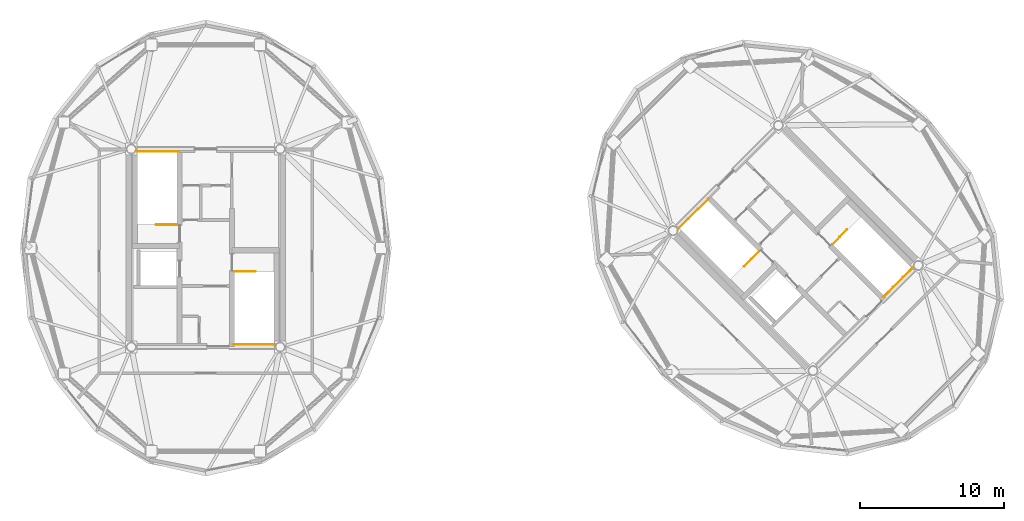
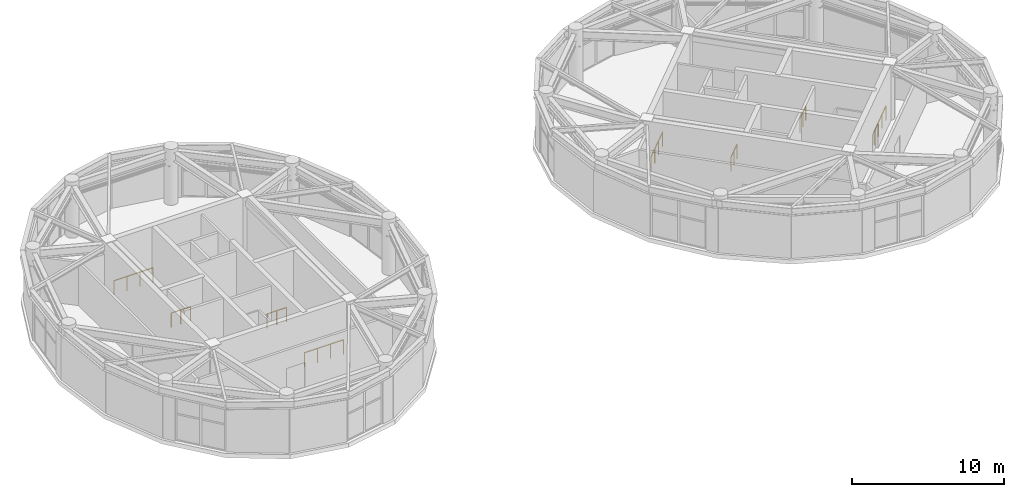
# One storey, part 26 of 26: 8 railings.
"""IFC4 building model written with IfcOpenShell, lengths in metres."""

from ifc_helpers import new_model, si_unit, direction, frame, origin, origin_2d, place, context, subcontext, project, spatial, circle, extrude, material, type_object, element, save


model = new_model("IFC4")

# Units and contexts
model_context = context("Model", 3, precision=1e-05, world=origin(), true_north=direction((0.0, 1.0)))
body_context = subcontext(model_context, "Body", "Model", "MODEL_VIEW")
ifc_project = project(units=[si_unit("LENGTHUNIT", "METRE"), si_unit("AREAUNIT", "SQUARE_METRE"), si_unit("VOLUMEUNIT", "CUBIC_METRE"), si_unit("PLANEANGLEUNIT", "RADIAN"), si_unit("MASSUNIT", "GRAM", prefix="KILO")], contexts=[model_context])

# Site, building, storey
site_placement = place(None, origin())
site = spatial("IfcSite", under=ifc_project, at=site_placement, CompositionType="ELEMENT")
building_placement = place(site_placement, origin())
building = spatial("IfcBuilding", under=site, at=building_placement, Name="Cununo Teusaquillo Station Towers", CompositionType="ELEMENT")
storey_placement = place(building_placement, frame((0.0, 0.0, 240.330078125)))
storey = spatial("IfcBuildingStorey", under=building, at=storey_placement, Name="L76", CompositionType="ELEMENT", Elevation=240.330078125)

# Railings
ifc_material = material(Name="Steel EN 10025-2 S355J2", Category="steel")
railing_type = type_object("IfcRailingType", Name="RL-INT-GUARD", PredefinedType="GUARDRAIL", material=ifc_material)
railing_1_placement = place(storey_placement, frame((14.52001953125, 26.1201171875, 0.0)))
element("IfcRailing", 1, at=railing_1_placement, inside=storey, type_object=railing_type, Name="L76 ST-T1-1 top well guard 1", PredefinedType="GUARDRAIL", context=body_context, shape_type="SweptSolid", body=[
    extrude(circle(Radius=0.02392578125, at=origin_2d()), frame((0.0, 0.0, 1.1259765625), z_axis=(-1.0, 0.0, 0.0), x_axis=(0.0, -1.0, 0.0)), (0.0, 0.0, 1.0), 1.4599609375),
    extrude(circle(Radius=0.02099609375, at=origin_2d()), origin(), (0.0, 0.0, 1.0), 1.101806640625),
    extrude(circle(Radius=0.02099609375, at=origin_2d()), frame((-0.72998046875, 0.0, 0.0)), (0.0, 0.0, 1.0), 1.101806640625),
    extrude(circle(Radius=0.02099609375, at=origin_2d()), frame((-1.4599609375, 0.0, 0.0)), (0.0, 0.0, 1.0), 1.101806640625),
])
railing_2_placement = place(storey_placement, frame((14.6201171875, 31.2099609375, 0.0)))
element("IfcRailing", 2, at=railing_2_placement, inside=storey, type_object=railing_type, Name="L76 ST-T1-1 top well guard 2", PredefinedType="GUARDRAIL", context=body_context, shape_type="SweptSolid", body=[
    extrude(circle(Radius=0.02392578125, at=origin_2d()), frame((0.0, 0.0, 1.1259765625), z_axis=(-1.0, 0.0, 0.0), x_axis=(0.0, -1.0, 0.0)), (0.0, 0.0, 1.0), 2.960205078125),
    extrude(circle(Radius=0.02099609375, at=origin_2d()), origin(), (0.0, 0.0, 1.0), 1.101806640625),
    extrude(circle(Radius=0.02099609375, at=origin_2d()), frame((-0.98681640625, 0.0, 0.0)), (0.0, 0.0, 1.0), 1.101806640625),
    extrude(circle(Radius=0.02099609375, at=origin_2d()), frame((-1.973388671875, 0.0, 0.0)), (0.0, 0.0, 1.0), 1.101806640625),
    extrude(circle(Radius=0.02099609375, at=origin_2d()), frame((-2.960205078125, 0.0, 0.0)), (0.0, 0.0, 1.0), 1.101806640625),
])
railing_3_placement = place(storey_placement, frame((18.47998046875, 22.8798828125, 0.0)))
element("IfcRailing", 3, at=railing_3_placement, inside=storey, type_object=railing_type, Name="L76 ST-T1-2 top well guard 1", PredefinedType="GUARDRAIL", context=body_context, shape_type="SweptSolid", body=[
    extrude(circle(Radius=0.02392578125, at=origin_2d()), frame((0.0, 0.0, 1.1259765625), z_axis=(1.0, 0.0, 0.0), x_axis=(0.0, 1.0, 0.0)), (0.0, 0.0, 1.0), 1.4599609375),
    extrude(circle(Radius=0.02099609375, at=origin_2d()), origin(), (0.0, 0.0, 1.0), 1.101806640625),
    extrude(circle(Radius=0.02099609375, at=origin_2d()), frame((0.72998046875, 0.0, 0.0)), (0.0, 0.0, 1.0), 1.101806640625),
    extrude(circle(Radius=0.02099609375, at=origin_2d()), frame((1.4599609375, 0.0, 0.0)), (0.0, 0.0, 1.0), 1.101806640625),
])
railing_4_placement = place(storey_placement, frame((18.3798828125, 17.7900390625, 0.0)))
element("IfcRailing", 4, at=railing_4_placement, inside=storey, type_object=railing_type, Name="L76 ST-T1-2 top well guard 2", PredefinedType="GUARDRAIL", context=body_context, shape_type="SweptSolid", body=[
    extrude(circle(Radius=0.02392578125, at=origin_2d()), frame((0.0, 0.0, 1.1259765625), z_axis=(1.0, 0.0, 0.0), x_axis=(0.0, 1.0, 0.0)), (0.0, 0.0, 1.0), 2.960205078125),
    extrude(circle(Radius=0.02099609375, at=origin_2d()), origin(), (0.0, 0.0, 1.0), 1.101806640625),
    extrude(circle(Radius=0.02099609375, at=origin_2d()), frame((0.98681640625, 0.0, 0.0)), (0.0, 0.0, 1.0), 1.101806640625),
    extrude(circle(Radius=0.02099609375, at=origin_2d()), frame((1.973388671875, 0.0, 0.0)), (0.0, 0.0, 1.0), 1.101806640625),
    extrude(circle(Radius=0.02099609375, at=origin_2d()), frame((2.960205078125, 0.0, 0.0)), (0.0, 0.0, 1.0), 1.101806640625),
])
railing_5_placement = place(storey_placement, frame((54.954345703125, 24.245361328125, 0.0)))
element("IfcRailing", 5, at=railing_5_placement, inside=storey, type_object=railing_type, Name="L76 ST-T2-1 top well guard 1", PredefinedType="GUARDRAIL", context=body_context, shape_type="SweptSolid", body=[
    extrude(circle(Radius=0.02392578125, at=origin_2d()), frame((0.0, 0.0, 1.1259765625), z_axis=(-0.707106781187, -0.707106781187, 0.0), x_axis=(0.707106781187, -0.707106781187, 0.0)), (0.0, 0.0, 1.0), 1.459716796875),
    extrude(circle(Radius=0.02099609375, at=origin_2d()), origin(), (0.0, 0.0, 1.0), 1.101806640625),
    extrude(circle(Radius=0.02099609375, at=origin_2d()), frame((-0.51611328125, -0.51611328125, 0.0)), (0.0, 0.0, 1.0), 1.101806640625),
    extrude(circle(Radius=0.02099609375, at=origin_2d()), frame((-1.0322265625, -1.0322265625, 0.0)), (0.0, 0.0, 1.0), 1.101806640625),
])
railing_6_placement = place(storey_placement, frame((51.426025390625, 27.915283203125, 0.0)))
element("IfcRailing", 6, at=railing_6_placement, inside=storey, type_object=railing_type, Name="L76 ST-T2-1 top well guard 2", PredefinedType="GUARDRAIL", context=body_context, shape_type="SweptSolid", body=[
    extrude(circle(Radius=0.02392578125, at=origin_2d()), frame((0.0, 0.0, 1.1259765625), z_axis=(-0.707106781187, -0.707106781187, 0.0), x_axis=(0.707106781187, -0.707106781187, 0.0)), (0.0, 0.0, 1.0), 2.9599609375),
    extrude(circle(Radius=0.02099609375, at=origin_2d()), origin(), (0.0, 0.0, 1.0), 1.101806640625),
    extrude(circle(Radius=0.02099609375, at=origin_2d()), frame((-0.69775390625, -0.69775390625, 0.0)), (0.0, 0.0, 1.0), 1.101806640625),
    extrude(circle(Radius=0.02099609375, at=origin_2d()), frame((-1.395263671875, -1.395263671875, 0.0)), (0.0, 0.0, 1.0), 1.101806640625),
    extrude(circle(Radius=0.02099609375, at=origin_2d()), frame((-2.093017578125, -2.093017578125, 0.0)), (0.0, 0.0, 1.0), 1.101806640625),
])
railing_7_placement = place(storey_placement, frame((60.045654296875, 24.754638671875, 0.0)))
element("IfcRailing", 7, at=railing_7_placement, inside=storey, type_object=railing_type, Name="L76 ST-T2-2 top well guard 1", PredefinedType="GUARDRAIL", context=body_context, shape_type="SweptSolid", body=[
    extrude(circle(Radius=0.02392578125, at=origin_2d()), frame((0.0, 0.0, 1.1259765625), z_axis=(0.707106781187, 0.707106781187, 0.0), x_axis=(-0.707106781187, 0.707106781187, 0.0)), (0.0, 0.0, 1.0), 1.459716796875),
    extrude(circle(Radius=0.02099609375, at=origin_2d()), origin(), (0.0, 0.0, 1.0), 1.101806640625),
    extrude(circle(Radius=0.02099609375, at=origin_2d()), frame((0.51611328125, 0.51611328125, 0.0)), (0.0, 0.0, 1.0), 1.101806640625),
    extrude(circle(Radius=0.02099609375, at=origin_2d()), frame((1.0322265625, 1.0322265625, 0.0)), (0.0, 0.0, 1.0), 1.101806640625),
])
railing_8_placement = place(storey_placement, frame((63.573974609375, 21.084716796875, 0.0)))
element("IfcRailing", 8, at=railing_8_placement, inside=storey, type_object=railing_type, Name="L76 ST-T2-2 top well guard 2", PredefinedType="GUARDRAIL", context=body_context, shape_type="SweptSolid", body=[
    extrude(circle(Radius=0.02392578125, at=origin_2d()), frame((0.0, 0.0, 1.1259765625), z_axis=(0.707106781187, 0.707106781187, 0.0), x_axis=(-0.707106781187, 0.707106781187, 0.0)), (0.0, 0.0, 1.0), 2.9599609375),
    extrude(circle(Radius=0.02099609375, at=origin_2d()), origin(), (0.0, 0.0, 1.0), 1.101806640625),
    extrude(circle(Radius=0.02099609375, at=origin_2d()), frame((0.69775390625, 0.69775390625, 0.0)), (0.0, 0.0, 1.0), 1.101806640625),
    extrude(circle(Radius=0.02099609375, at=origin_2d()), frame((1.395263671875, 1.395263671875, 0.0)), (0.0, 0.0, 1.0), 1.101806640625),
    extrude(circle(Radius=0.02099609375, at=origin_2d()), frame((2.093017578125, 2.093017578125, 0.0)), (0.0, 0.0, 1.0), 1.101806640625),
])

save(model, "model.ifc")
